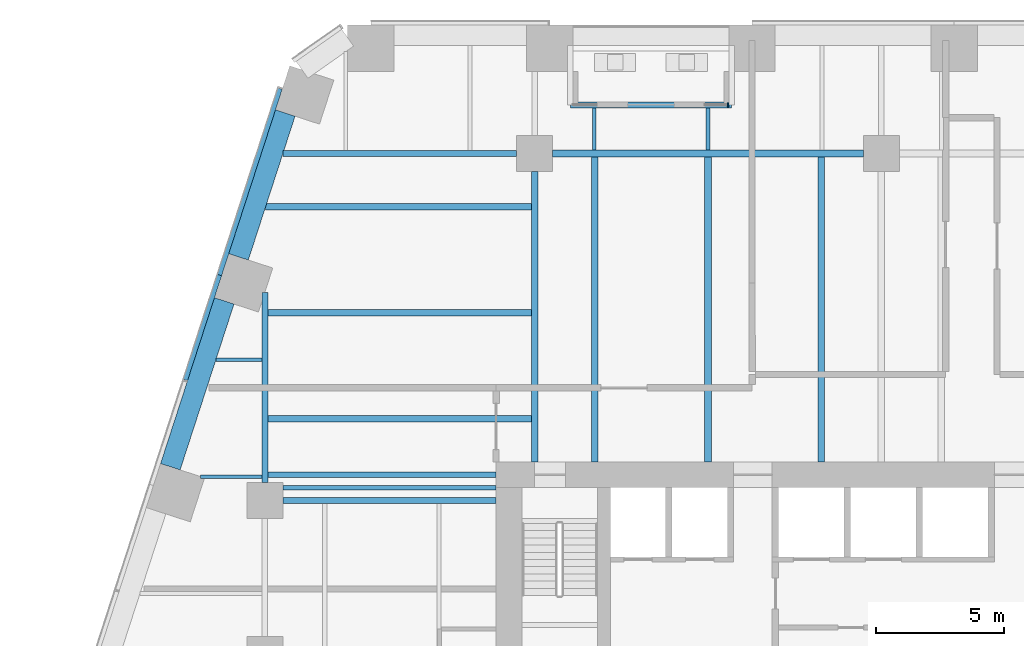
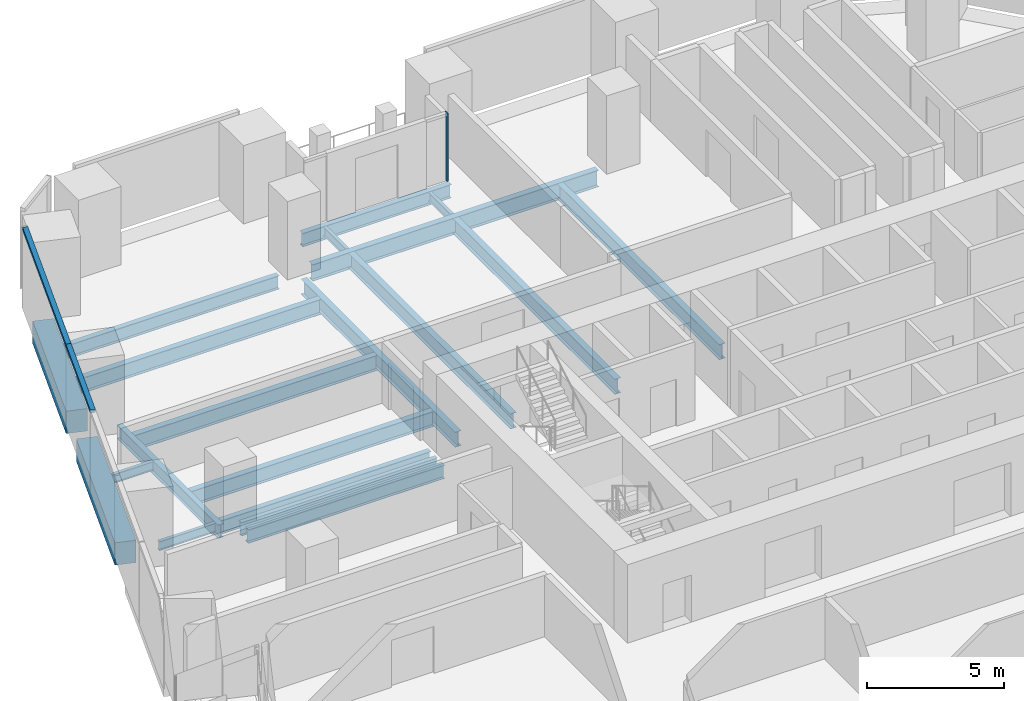
# One storey, part 10 of 31: 20 beams, 3 members, 2 elements without a shape of their own.
"""IFC4 building model written with IfcOpenShell, lengths in metres."""

from ifc_helpers import new_model, si_unit, direction, frame, origin, origin_2d, place, context, subcontext, project, spatial, rectangle, i_section, extrude, material, layer, layer_set, material_profile, profile_set, type_object, element, aggregate, save


model = new_model("IFC4")

# Units and contexts
model_context = context("Model", 3, precision=1e-05, world=origin(), true_north=direction((0.0, 1.0)))
body_context = subcontext(model_context, "Body", "Model", "MODEL_VIEW")
ifc_project = project(units=[si_unit("LENGTHUNIT", "METRE"), si_unit("AREAUNIT", "SQUARE_METRE"), si_unit("VOLUMEUNIT", "CUBIC_METRE"), si_unit("PLANEANGLEUNIT", "RADIAN"), si_unit("MASSUNIT", "GRAM", prefix="KILO")], contexts=[model_context])

# Site, building, storey
site_placement = place(None, origin())
site = spatial("IfcSite", under=ifc_project, at=site_placement, CompositionType="ELEMENT")
building_placement = place(site_placement, origin())
building = spatial("IfcBuilding", under=site, at=building_placement, Name="Isthmus Gate Tower", CompositionType="ELEMENT")
storey_placement = place(building_placement, frame((0.0, 0.0, 54.25)))
storey = spatial("IfcBuildingStorey", under=building, at=storey_placement, Name="L11", CompositionType="ELEMENT", Elevation=54.25)

# Curtain wall, members
ifc_material_1 = material(Name="Aluminium, pale champagne anodised", Category="aluminium")
ifc_layer_1 = layer(ifc_material_1, 0.199951171875)
ifc_layer_set_1 = layer_set([ifc_layer_1], Name="CW-1 UNITISED CURTAIN WALL 200 DEEP")
curtain_wall_type_1 = type_object("IfcCurtainWallType", Name="CW-1 UNITISED CURTAIN WALL 200 DEEP", PredefinedType="NOTDEFINED", material=ifc_layer_set_1)
curtain_wall_1_placement = place(storey_placement, origin())
curtain_wall_1 = element("IfcCurtainWall", 1, at=curtain_wall_1_placement, inside=storey, type_object=curtain_wall_type_1, Name="CW-1 NW L11", PredefinedType="NOTDEFINED")
ifc_material_2 = material(Name="Aluminium, pale champagne anodised", Category="aluminium")
ifc_material_profile_1 = material_profile(ifc_material_2, rectangle(XDim=0.199951171875, YDim=0.14990234375, at=origin_2d()), Name="200x150")
ifc_profile_set_1 = profile_set([ifc_material_profile_1], Name="Aluminium, pale champagne anodised")
member_type_1 = type_object("IfcMemberType", Name="CW-1 TRANSOM 200 X 150", PredefinedType="USERDEFINED", material=ifc_profile_set_1)
member_1_placement = place(storey_placement, frame((-23.4208984375, 29.532958984375, 3.574951171875), z_axis=(-0.309018780445, -0.951055935964, 0.0), x_axis=(0.951055935964, -0.309018780445, 0.0)))
member_1 = element("IfcMember", 2, at=member_1_placement, type_object=member_type_1, Name="CW-1 transom", ObjectType="TRANSOM", PredefinedType="USERDEFINED", context=body_context, shape_type="SweptSolid", body=[
    extrude(rectangle(XDim=0.199951171875, YDim=0.14990234375, at=origin_2d()), origin(), (0.0, 0.0, 1.0), 7.629638671875),
])
member_2_placement = place(storey_placement, frame((-25.778564453125, 22.27685546875, 3.574951171875), z_axis=(-0.309021801109, -0.951054954479, 0.0), x_axis=(0.951054954479, -0.309021801109, 0.0)))
member_2 = element("IfcMember", 3, at=member_2_placement, type_object=member_type_1, Name="CW-1 transom", ObjectType="TRANSOM", PredefinedType="USERDEFINED", context=body_context, shape_type="SweptSolid", body=[
    extrude(rectangle(XDim=0.199951171875, YDim=0.14990234375, at=origin_2d()), origin(), (0.0, 0.0, 1.0), 4.294677734375),
])
aggregate(curtain_wall_1, [member_1, member_2])

# Curtain wall, member
ifc_material_3 = material(Name="Aluminium, pale champagne anodised", Category="aluminium")
ifc_layer_2 = layer(ifc_material_3, 0.14990234375)
ifc_layer_set_2 = layer_set([ifc_layer_2], Name="CW-6 LOGGIA BACK WALL GLAZING 150 DEEP")
curtain_wall_type_2 = type_object("IfcCurtainWallType", Name="CW-6 LOGGIA BACK WALL GLAZING 150 DEEP", PredefinedType="NOTDEFINED", material=ifc_layer_set_2)
curtain_wall_2_placement = place(storey_placement, origin())
curtain_wall_2 = element("IfcCurtainWall", 4, at=curtain_wall_2_placement, inside=storey, type_object=curtain_wall_type_2, Name="CW-6 N L11", PredefinedType="NOTDEFINED")
ifc_material_4 = material(Name="Aluminium, pale champagne anodised", Category="aluminium")
ifc_material_profile_2 = material_profile(ifc_material_4, rectangle(XDim=0.06005859375, YDim=0.14990234375, at=origin_2d()), Name="60x150")
ifc_profile_set_2 = profile_set([ifc_material_profile_2], Name="Aluminium, pale champagne anodised")
member_type_2 = type_object("IfcMemberType", Name="CW-6 MULLION 60 X 150", PredefinedType="MULLION", material=ifc_profile_set_2)
member_3_placement = place(storey_placement, frame((-5.96728515625, 28.89990234375, 0.0), z_axis=(0.0, 0.0, 1.0), x_axis=(-1.0, 0.0, 0.0)))
member_3 = element("IfcMember", 5, at=member_3_placement, type_object=member_type_2, Name="CW-6 mullion", PredefinedType="MULLION", context=body_context, shape_type="SweptSolid", body=[
    extrude(rectangle(XDim=0.06005859375, YDim=0.14990234375, at=origin_2d()), origin(), (0.0, 0.0, 1.0), 3.050048828125),
])
aggregate(curtain_wall_2, [member_3])

# Beams
ifc_material_5 = material(Name="Concrete f'c 70 MPa", Category="concrete")
ifc_material_profile_3 = material_profile(ifc_material_5, rectangle(XDim=0.800048828125, YDim=1.0, at=origin_2d()), Name="RC 800X1000")
ifc_profile_set_3 = profile_set([ifc_material_profile_3], Name="Concrete f'c 70 MPa")
beam_type_1 = type_object("IfcBeamType", Name="RC SPANDREL 800 X 1000", PredefinedType="SPANDREL", material=ifc_profile_set_3)
beam_1_placement = place(storey_placement, frame((-27.67919921875, 14.809326171875, -0.5), z_axis=(0.309034033576, 0.951050979754, 0.0), x_axis=(-0.951050979754, 0.309034033576, 0.0)))
element("IfcBeam", 6, at=beam_1_placement, inside=storey, type_object=beam_type_1, Name="str-spandrel-L11-20", PredefinedType="SPANDREL", context=body_context, shape_type="SweptSolid", body=[
    extrude(rectangle(XDim=0.800048828125, YDim=1.0, at=origin_2d()), origin(), (0.0, 0.0, 1.0), 6.789306640625),
])
beam_2_placement = place(storey_placement, frame((-25.02490234375, 22.978271484375, -0.5), z_axis=(0.309042953764, 0.951048081187, 0.0), x_axis=(-0.951048081187, 0.309042953764, 0.0)))
element("IfcBeam", 7, at=beam_2_placement, inside=storey, type_object=beam_type_1, Name="str-spandrel-L11-21", PredefinedType="SPANDREL", context=body_context, shape_type="SweptSolid", body=[
    extrude(rectangle(XDim=0.800048828125, YDim=1.0, at=origin_2d()), origin(), (0.0, 0.0, 1.0), 5.889404296875),
])
ifc_material_6 = material(Name="Structural steel ASTM A992 Gr 50", Category="steel")
ifc_material_profile_4 = material_profile(ifc_material_6, i_section(OverallWidth=0.1396484375, OverallDepth=0.4033203125, WebThickness=0.00634765625, FlangeThickness=0.010986328125, at=origin_2d()), Name="W16X31")
ifc_profile_set_4 = profile_set([ifc_material_profile_4], Name="Structural steel ASTM A992 Gr 50")
beam_type_2 = type_object("IfcBeamType", Name="STEEL FLOOR BEAM W16X31", PredefinedType="JOIST", material=ifc_profile_set_4)
beam_3_placement = place(storey_placement, frame((-26.503662109375, 14.427490234375, -0.3515625), z_axis=(1.0, 0.0, 0.0), x_axis=(0.0, 1.0, 0.0)))
element("IfcBeam", 8, at=beam_3_placement, inside=storey, type_object=beam_type_2, Name="str-beam-L11-02-01", PredefinedType="JOIST", context=body_context, shape_type="SweptSolid", body=[
    extrude(i_section(OverallWidth=0.1396484375, OverallDepth=0.4033203125, WebThickness=0.00634765625, FlangeThickness=0.010986328125, at=origin_2d()), origin(), (0.0, 0.0, 1.0), 2.389404296875),
])
beam_4_placement = place(storey_placement, frame((-25.90478515625, 18.975830078125, -0.3515625), z_axis=(1.0, 0.0, 0.0), x_axis=(0.0, 1.0, 0.0)))
element("IfcBeam", 9, at=beam_4_placement, inside=storey, type_object=beam_type_2, Name="str-beam-L11-02-02", PredefinedType="JOIST", context=body_context, shape_type="SweptSolid", body=[
    extrude(i_section(OverallWidth=0.1396484375, OverallDepth=0.4033203125, WebThickness=0.00634765625, FlangeThickness=0.010986328125, at=origin_2d()), origin(), (0.0, 0.0, 1.0), 1.79052734375),
])
for number, where, z_axis, x_axis, name in (
    (10, (-11.18017578125, 27.1318359375, -0.3515625), (0.0, 1.0, 0.0), (-1.0, 0.0, 0.0), "str-beam-L11-17-00"),
    (11, (-6.75, 27.1318359375, -0.3515625), (0.0, 1.0, 0.0), (-1.0, 0.0, 0.0), "str-beam-L11-17-01"),
):
    element("IfcBeam", number, at=place(storey_placement, frame(where, z_axis=z_axis, x_axis=x_axis)), inside=storey, type_object=beam_type_2, Name=name, PredefinedType="JOIST", context=body_context, shape_type="SweptSolid", body=[
        extrude(i_section(OverallWidth=0.1396484375, OverallDepth=0.4033203125, WebThickness=0.00634765625, FlangeThickness=0.010986328125, at=origin_2d()), origin(), (0.0, 0.0, 1.0), 1.6396484375),
    ])
ifc_material_7 = material(Name="Structural steel ASTM A992 Gr 50", Category="steel")
ifc_material_profile_5 = material_profile(ifc_material_7, i_section(OverallWidth=0.177734375, OverallDepth=0.60009765625, WebThickness=0.009521484375, FlangeThickness=0.0126953125, at=origin_2d()), Name="W24X55")
ifc_profile_set_5 = profile_set([ifc_material_profile_5], Name="Structural steel ASTM A992 Gr 50")
beam_type_3 = type_object("IfcBeamType", Name="STEEL FLOOR BEAM W24X55", PredefinedType="JOIST", material=ifc_profile_set_5)
beam_5_placement = place(storey_placement, frame((-23.300048828125, 14.0, -0.449951171875), z_axis=(1.0, 0.0, 0.0), x_axis=(0.0, 1.0, 0.0)))
element("IfcBeam", 12, at=beam_5_placement, inside=storey, type_object=beam_type_3, Name="str-beam-L11-06-00", PredefinedType="JOIST", context=body_context, shape_type="SweptSolid", body=[
    extrude(i_section(OverallWidth=0.177734375, OverallDepth=0.60009765625, WebThickness=0.009521484375, FlangeThickness=0.0126953125, at=origin_2d()), origin(), (0.0, 0.0, 1.0), 8.300048828125),
])
ifc_material_8 = material(Name="Structural steel ASTM A992 Gr 50", Category="steel")
ifc_material_profile_6 = material_profile(ifc_material_8, i_section(OverallWidth=0.25390625, OverallDepth=0.679443359375, WebThickness=0.010986328125, FlangeThickness=0.015869140625, at=origin_2d()), Name="W27X84")
ifc_profile_set_6 = profile_set([ifc_material_profile_6], Name="Structural steel ASTM A992 Gr 50")
beam_type_4 = type_object("IfcBeamType", Name="STEEL FLOOR BEAM W27X84", PredefinedType="JOIST", material=ifc_profile_set_6)
for number, where, z_axis, x_axis, name in (
    (13, (-23.8857421875, 16.678466796875, -0.48974609375), (1.0, 0.0, 0.0), (0.0, 1.0, 0.0), "str-beam-L11-07-00"),
    (14, (-23.8857421875, 20.80712890625, -0.48974609375), (1.0, 0.0, 0.0), (0.0, 1.0, 0.0), "str-beam-L11-07-01"),
):
    element("IfcBeam", number, at=place(storey_placement, frame(where, z_axis=z_axis, x_axis=x_axis)), inside=storey, type_object=beam_type_4, Name=name, PredefinedType="JOIST", context=body_context, shape_type="SweptSolid", body=[
        extrude(i_section(OverallWidth=0.25390625, OverallDepth=0.679443359375, WebThickness=0.010986328125, FlangeThickness=0.015869140625, at=origin_2d()), origin(), (0.0, 0.0, 1.0), 10.2587890625),
    ])
beam_6_placement = place(storey_placement, frame((-23.96826171875, 24.935791015625, -0.48974609375), z_axis=(1.0, 0.0, 0.0), x_axis=(0.0, 1.0, 0.0)))
element("IfcBeam", 15, at=beam_6_placement, inside=storey, type_object=beam_type_4, Name="str-beam-L11-07-02", PredefinedType="JOIST", context=body_context, shape_type="SweptSolid", body=[
    extrude(i_section(OverallWidth=0.25390625, OverallDepth=0.679443359375, WebThickness=0.010986328125, FlangeThickness=0.015869140625, at=origin_2d()), origin(), (0.0, 0.0, 1.0), 10.34130859375),
])
for number, where, z_axis, x_axis, name in (
    (16, (-11.165283203125, 15.0, -0.48974609375), (0.0, 1.0, 0.0), (-1.0, 0.0, 0.0), "str-beam-L11-16-00"),
    (17, (-6.75, 15.0, -0.48974609375), (0.0, 1.0, 0.0), (-1.0, 0.0, 0.0), "str-beam-L11-16-01"),
    (18, (-2.334716796875, 15.0, -0.48974609375), (0.0, 1.0, 0.0), (-1.0, 0.0, 0.0), "str-beam-L11-16-02"),
):
    element("IfcBeam", number, at=place(storey_placement, frame(where, z_axis=z_axis, x_axis=x_axis)), inside=storey, type_object=beam_type_4, Name=name, PredefinedType="JOIST", context=body_context, shape_type="SweptSolid", body=[
        extrude(i_section(OverallWidth=0.25390625, OverallDepth=0.679443359375, WebThickness=0.010986328125, FlangeThickness=0.015869140625, at=origin_2d()), origin(), (0.0, 0.0, 1.0), 11.8681640625),
    ])
ifc_material_9 = material(Name="Structural steel ASTM A992 Gr 50", Category="steel")
ifc_material_profile_7 = material_profile(ifc_material_9, i_section(OverallWidth=0.228515625, OverallDepth=0.603271484375, WebThickness=0.010986328125, FlangeThickness=0.014404296875, at=origin_2d()), Name="W24X68")
ifc_profile_set_7 = profile_set([ifc_material_profile_7], Name="Structural steel ASTM A992 Gr 50")
beam_type_5 = type_object("IfcBeamType", Name="STEEL GIRDER W24X68", PredefinedType="BEAM", material=ifc_profile_set_7)
beam_7_placement = place(storey_placement, frame((-24.0, 14.199951171875, -0.45166015625), z_axis=(0.0, 1.0, 0.0), x_axis=(-1.0, 0.0, 0.0)))
element("IfcBeam", 19, at=beam_7_placement, inside=storey, type_object=beam_type_5, Name="str-girder-L11-22", PredefinedType="BEAM", context=body_context, shape_type="SweptSolid", body=[
    extrude(i_section(OverallWidth=0.228515625, OverallDepth=0.603271484375, WebThickness=0.010986328125, FlangeThickness=0.014404296875, at=origin_2d()), origin(), (0.0, 0.0, 1.0), 7.402099609375),
])
ifc_material_10 = material(Name="Structural steel ASTM A992 Gr 50", Category="steel")
ifc_material_profile_8 = material_profile(ifc_material_10, i_section(OverallWidth=0.228515625, OverallDepth=0.6064453125, WebThickness=0.010986328125, FlangeThickness=0.017578125, at=origin_2d()), Name="W24X76")
ifc_profile_set_8 = profile_set([ifc_material_profile_8], Name="Structural steel ASTM A992 Gr 50")
beam_type_6 = type_object("IfcBeamType", Name="STEEL GIRDER W24X76", PredefinedType="BEAM", material=ifc_profile_set_8)
beam_8_placement = place(storey_placement, frame((-23.300048828125, 13.5, -0.453125), z_axis=(1.0, 0.0, 0.0), x_axis=(0.0, 1.0, 0.0)))
element("IfcBeam", 20, at=beam_8_placement, inside=storey, type_object=beam_type_6, Name="str-girder-L11-13", PredefinedType="BEAM", context=body_context, shape_type="SweptSolid", body=[
    extrude(i_section(OverallWidth=0.228515625, OverallDepth=0.6064453125, WebThickness=0.010986328125, FlangeThickness=0.017578125, at=origin_2d()), origin(), (0.0, 0.0, 1.0), 8.300048828125),
])
beam_9_placement = place(storey_placement, frame((-23.297607421875, 27.0, -0.453125), z_axis=(1.0, 0.0, 0.0), x_axis=(0.0, 1.0, 0.0)))
element("IfcBeam", 21, at=beam_9_placement, inside=storey, type_object=beam_type_6, Name="str-girder-L11-16", PredefinedType="BEAM", context=body_context, shape_type="SweptSolid", body=[
    extrude(i_section(OverallWidth=0.228515625, OverallDepth=0.6064453125, WebThickness=0.010986328125, FlangeThickness=0.017578125, at=origin_2d()), origin(), (0.0, 0.0, 1.0), 9.09765625),
])
beam_10_placement = place(storey_placement, frame((-15.0, 14.5, -0.453125), z_axis=(-1.0, 0.0, 0.0), x_axis=(0.0, -1.0, 0.0)))
element("IfcBeam", 22, at=beam_10_placement, inside=storey, type_object=beam_type_6, Name="str-girder-L11-40", PredefinedType="BEAM", context=body_context, shape_type="SweptSolid", body=[
    extrude(i_section(OverallWidth=0.228515625, OverallDepth=0.6064453125, WebThickness=0.010986328125, FlangeThickness=0.017578125, at=origin_2d()), origin(), (0.0, 0.0, 1.0), 8.8857421875),
])
ifc_material_11 = material(Name="Structural steel ASTM A992 Gr 50", Category="steel")
ifc_material_profile_9 = material_profile(ifc_material_11, i_section(OverallWidth=0.25390625, OverallDepth=0.679443359375, WebThickness=0.010986328125, FlangeThickness=0.015869140625, at=origin_2d()), Name="W27X84")
ifc_profile_set_9 = profile_set([ifc_material_profile_9], Name="Structural steel ASTM A992 Gr 50")
beam_type_7 = type_object("IfcBeamType", Name="STEEL GIRDER W27X84", PredefinedType="BEAM", material=ifc_profile_set_9)
beam_11_placement = place(storey_placement, frame((-13.5, 15.0, -0.48974609375), z_axis=(0.0, 1.0, 0.0), x_axis=(-1.0, 0.0, 0.0)))
element("IfcBeam", 23, at=beam_11_placement, inside=storey, type_object=beam_type_7, Name="str-girder-L11-26", PredefinedType="BEAM", context=body_context, shape_type="SweptSolid", body=[
    extrude(i_section(OverallWidth=0.25390625, OverallDepth=0.679443359375, WebThickness=0.010986328125, FlangeThickness=0.015869140625, at=origin_2d()), origin(), (0.0, 0.0, 1.0), 11.300048828125),
])
ifc_material_12 = material(Name="Structural steel ASTM A992 Gr 50", Category="steel")
ifc_material_profile_10 = material_profile(ifc_material_12, i_section(OverallWidth=0.263427734375, OverallDepth=0.749267578125, WebThickness=0.0126953125, FlangeThickness=0.015869140625, at=origin_2d()), Name="W30X90")
ifc_profile_set_10 = profile_set([ifc_material_profile_10], Name="Structural steel ASTM A992 Gr 50")
beam_type_8 = type_object("IfcBeamType", Name="STEEL GIRDER W30X90", PredefinedType="BEAM", material=ifc_profile_set_10)
beam_12_placement = place(storey_placement, frame((-12.800048828125, 27.0, -0.524658203125), z_axis=(1.0, 0.0, 0.0), x_axis=(0.0, 1.0, 0.0)))
element("IfcBeam", 24, at=beam_12_placement, inside=storey, type_object=beam_type_8, Name="str-girder-L11-17", PredefinedType="BEAM", context=body_context, shape_type="SweptSolid", body=[
    extrude(i_section(OverallWidth=0.263427734375, OverallDepth=0.749267578125, WebThickness=0.0126953125, FlangeThickness=0.015869140625, at=origin_2d()), origin(), (0.0, 0.0, 1.0), 12.10009765625),
])
ifc_material_13 = material(Name="Structural steel ASTM A992 Gr 50", Category="steel")
ifc_material_profile_11 = material_profile(ifc_material_13, i_section(OverallWidth=0.228515625, OverallDepth=0.603271484375, WebThickness=0.010986328125, FlangeThickness=0.014404296875, at=origin_2d()), Name="W24X68")
ifc_profile_set_11 = profile_set([ifc_material_profile_11], Name="Structural steel ASTM A992 Gr 50")
beam_type_9 = type_object("IfcBeamType", Name="STEEL TRIMMER W24X68", PredefinedType="BEAM", material=ifc_profile_set_11)
beam_13_placement = place(storey_placement, frame((-5.83251953125, 28.8857421875, -0.45166015625), z_axis=(-1.0, 0.0, 0.0), x_axis=(0.0, -1.0, 0.0)))
element("IfcBeam", 25, at=beam_13_placement, inside=storey, type_object=beam_type_9, Name="str-loggiatrim-L11-01-B", PredefinedType="BEAM", context=body_context, shape_type="SweptSolid", body=[
    extrude(i_section(OverallWidth=0.228515625, OverallDepth=0.603271484375, WebThickness=0.010986328125, FlangeThickness=0.014404296875, at=origin_2d()), origin(), (0.0, 0.0, 1.0), 6.279052734375),
])

save(model, "model.ifc")
